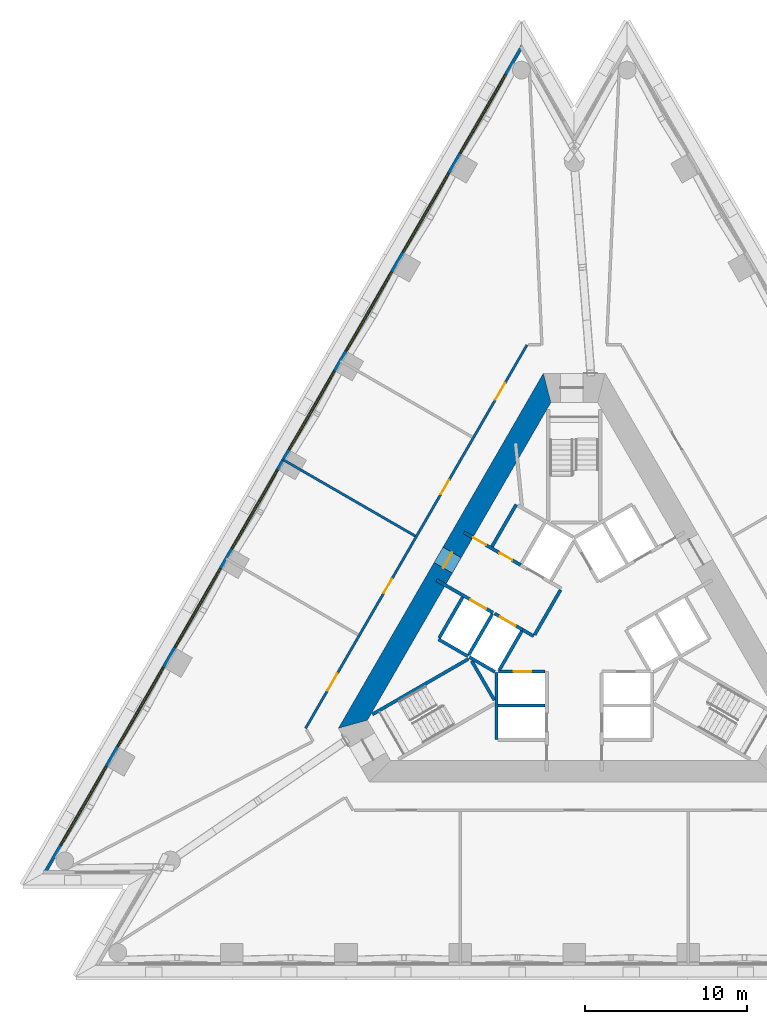
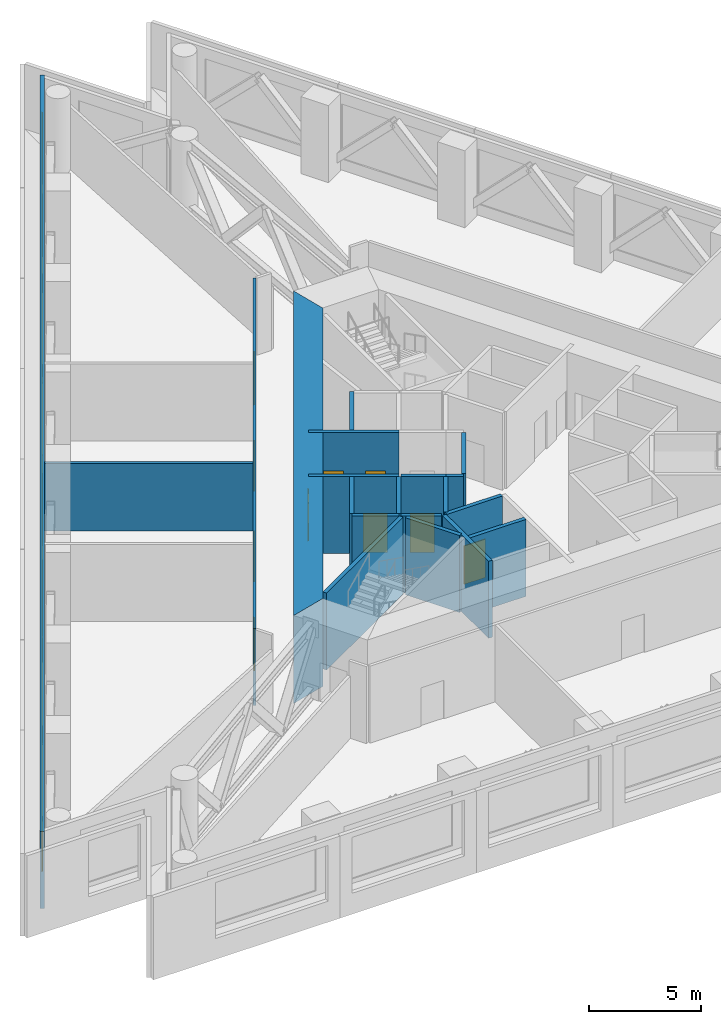
# One storey, part 7 of 12: 20 walls, 10 doors, 8 windows, 18 openings.
"""IFC4 building model written with IfcOpenShell, lengths in metres."""

from ifc_helpers import new_model, si_unit, direction, frame, frame_2d, origin, place, context, subcontext, project, spatial, polyline, rectangle, outline, extrude, material, layer, layer_set, layer_usage, type_object, element, fill, save


model = new_model("IFC4")

# Units and contexts
model_context = context("Model", 3, precision=1e-05, world=origin(), true_north=direction((0.0, 1.0)))
body_context = subcontext(model_context, "Body", "Model", "MODEL_VIEW")
ifc_project = project(units=[si_unit("LENGTHUNIT", "METRE"), si_unit("AREAUNIT", "SQUARE_METRE"), si_unit("VOLUMEUNIT", "CUBIC_METRE"), si_unit("PLANEANGLEUNIT", "RADIAN"), si_unit("MASSUNIT", "GRAM", prefix="KILO")], contexts=[model_context])

# Site, building, storey
site_placement = place(None, origin())
site = spatial("IfcSite", under=ifc_project, at=site_placement, CompositionType="ELEMENT")
building_placement = place(site_placement, origin())
building = spatial("IfcBuilding", under=site, at=building_placement, Name="Triada Interchange Tower", CompositionType="ELEMENT")
storey_placement = place(building_placement, frame((0.0, 0.0, 99.800048828125)))
storey = spatial("IfcBuildingStorey", under=building, at=storey_placement, Name="L22", CompositionType="ELEMENT", Elevation=99.800048828125)

# Walls
ifc_material_1 = material(Name="Concrete C30/37", Category="concrete")
ifc_layer_1 = layer(ifc_material_1, 0.199951171875)
ifc_layer_set_1 = layer_set([ifc_layer_1], Name="CORE WALL 200 EI 120")
wall_type_1 = type_object("IfcWallType", Name="CORE WALL 200 EI 120", PredefinedType="SOLIDWALL", material=ifc_layer_set_1)
wall_1_placement = place(storey_placement, frame((-8.3759765625, -0.70703125, 0.0), z_axis=(0.0, 0.0, 1.0), x_axis=(0.866067520717, -0.499927044236, 0.0)))
element("IfcWall", 1, at=wall_1_placement, inside=storey, type_object=wall_type_1, Name="Wall L22 22", PredefinedType="SOLIDWALL", context=body_context, shape_type="SweptSolid", body=[
    extrude(rectangle(XDim=2.100341796875, YDim=0.199951171875, at=frame_2d((1.05029296875, 0.0))), origin(), (0.0, 0.0, 1.0), 4.199951171875),
])
wall_2_placement = place(storey_placement, frame((-8.325927734375, -0.6201171875, 0.0), z_axis=(0.0, 0.0, 1.0), x_axis=(0.500023687443, 0.866011727401, 0.0)))
element("IfcWall", 2, at=wall_2_placement, inside=storey, type_object=wall_type_1, Name="Wall L22 23", PredefinedType="SOLIDWALL", context=body_context, shape_type="SweptSolid", body=[
    extrude(rectangle(XDim=2.899658203125, YDim=0.199951171875, at=frame_2d((1.44970703125, 0.0))), origin(), (0.0, 0.0, 1.0), 4.199951171875),
])
wall_3_placement = place(storey_placement, frame((-4.699951171875, -4.800048828125, 0.0), z_axis=(0.0, 0.0, 1.0), x_axis=(1.0, 0.0, 0.0)))
element("IfcWall", 3, at=wall_3_placement, inside=storey, type_object=wall_type_1, Name="Wall L22 24", PredefinedType="SOLIDWALL", context=body_context, shape_type="SweptSolid", body=[
    extrude(rectangle(XDim=2.89990234375, YDim=0.199951171875, at=frame_2d((1.449951171875, 0.0))), origin(), (0.0, 0.0, 1.0), 4.199951171875),
])
wall_4_placement = place(storey_placement, frame((-4.800048828125, -6.89990234375, 0.0), z_axis=(0.0, 0.0, 1.0), x_axis=(0.0, 1.0, 0.0)))
element("IfcWall", 4, at=wall_4_placement, inside=storey, type_object=wall_type_1, Name="Wall L22 26", PredefinedType="SOLIDWALL", context=body_context, shape_type="SweptSolid", body=[
    extrude(rectangle(XDim=4.130859375, YDim=0.199951171875, at=frame_2d((2.0654296875, 0.0))), origin(), (0.0, 0.0, 1.0), 4.199951171875),
])

# Wall, opening, door
wall_5_placement = place(storey_placement, frame((-4.676025390625, -2.699951171875, 0.0), z_axis=(0.0, 0.0, 1.0), x_axis=(1.0, 0.0, 0.0)))
wall_5 = element("IfcWall", 5, at=wall_5_placement, inside=storey, type_object=wall_type_1, Name="Wall L22 30", PredefinedType="SOLIDWALL", context=body_context, shape_type="SweptSolid", body=[
    extrude(rectangle(XDim=2.873046875, YDim=0.199951171875, at=frame_2d((1.4365234375, 0.0))), origin(), (0.0, 0.0, 1.0), 4.199951171875),
])
opening_1_placement = place(wall_5_placement, frame((0.93701171875, 0.0, 0.0)))
opening_1 = element("IfcOpeningElement", 6, at=opening_1_placement, cuts=wall_5, Name="Opening LD-LR3", PredefinedType="OPENING", context=body_context, shape_type="SweptSolid", body=[
    extrude(rectangle(XDim=1.10009765625, YDim=2.10009765625, at=frame_2d((0.550048828125, 1.050048828125))), frame((0.0, 0.10986328125, 0.0), z_axis=(0.0, -1.0, 0.0), x_axis=(1.0, 0.0, 0.0)), (0.0, 0.0, 1.0), 0.219970703125),
])
ifc_material_2 = material(Name="Steel S235 door leaf", Category="steel")
door_type_1 = type_object("IfcDoorType", Name="LIFT LANDING DOOR 1100 EI 120", OperationType="SLIDING_TO_LEFT", PredefinedType="DOOR", material=ifc_material_2)
door_1_placement = place(opening_1_placement, origin())
door_1 = element("IfcDoor", 7, at=door_1_placement, inside=storey, type_object=door_type_1, Name="LR3 landing door L22", OperationType="SLIDING_TO_LEFT", OverallHeight=2.10009765625, OverallWidth=1.10009765625, PredefinedType="DOOR", context=body_context, shape_type="SweptSolid", body=[
    extrude(rectangle(XDim=1.10009765625, YDim=2.10009765625, at=frame_2d((0.550048828125, 1.050048828125))), frame((0.0, 0.02490234375, 0.0), z_axis=(0.0, -1.0, 0.0), x_axis=(1.0, 0.0, 0.0)), (0.0, 0.0, 1.0), 0.050048828125),
])
fill(opening_1, door_1)

ifc_layer_2 = layer(ifc_material_1, 0.199951171875)
ifc_layer_set_2 = layer_set([ifc_layer_2], Name="CORE WALL 200 EI 180")
wall_type_2 = type_object("IfcWallType", Name="CORE WALL 200 EI 180", PredefinedType="SOLIDWALL", material=ifc_layer_set_2)
wall_6_placement = place(storey_placement, frame((-8.4970703125, 2.943115234375, 0.0), z_axis=(0.0, 0.0, 1.0), x_axis=(0.866036368755, -0.499981007633, 0.0)))
wall_6 = element("IfcWall", 8, at=wall_6_placement, inside=storey, type_object=wall_type_2, Name="Wall L22 44", PredefinedType="SOLIDWALL", context=body_context, shape_type="SweptSolid", body=[
    extrude(rectangle(XDim=4.032470703125, YDim=0.199951171875, at=frame_2d((2.01611328125, 0.0))), origin(), (0.0, 0.0, 1.0), 4.199951171875),
])
opening_2_placement = place(wall_6_placement, frame((2.429931640625, 0.0, 0.0)))
opening_2 = element("IfcOpeningElement", 9, at=opening_2_placement, cuts=wall_6, Name="Opening LD-SV1", PredefinedType="OPENING", context=body_context, shape_type="SweptSolid", body=[
    extrude(rectangle(XDim=1.10009765625, YDim=2.10009765625, at=frame_2d((0.550048828125, 1.050048828125))), frame((0.0, 0.10986328125, 0.0), z_axis=(0.0, -1.0, 0.0), x_axis=(1.0, 0.0, 0.0)), (0.0, 0.0, 1.0), 0.219970703125),
])
door_2_placement = place(opening_2_placement, origin())
door_2 = element("IfcDoor", 10, at=door_2_placement, inside=storey, type_object=door_type_1, Name="SV1 landing door L22", OperationType="SLIDING_TO_LEFT", OverallHeight=2.10009765625, OverallWidth=1.10009765625, PredefinedType="DOOR", context=body_context, shape_type="SweptSolid", body=[
    extrude(rectangle(XDim=1.10009765625, YDim=2.10009765625, at=frame_2d((0.550048828125, 1.050048828125))), frame((0.0, 0.02490234375, 0.0), z_axis=(0.0, -1.0, 0.0), x_axis=(1.0, 0.0, 0.0)), (0.0, 0.0, 1.0), 0.050048828125),
])
fill(opening_2, door_2)

# Wall
wall_7_placement = place(storey_placement, frame((-3.18798828125, -0.1220703125, 0.0), z_axis=(0.0, 0.0, 1.0), x_axis=(0.865705793592, -0.50055317294, 0.0)))
element("IfcWall", 11, at=wall_7_placement, inside=storey, type_object=wall_type_2, Name="Wall L22 45", PredefinedType="SOLIDWALL", context=body_context, shape_type="SweptSolid", body=[
    extrude(rectangle(XDim=0.796875, YDim=0.199951171875, at=frame_2d((0.3984375, 0.0))), origin(), (0.0, 0.0, 1.0), 4.199951171875),
])

# Wall, openings, doors
wall_8_placement = place(storey_placement, frame((-6.797119140625, 5.886962890625, 0.0), z_axis=(0.0, 0.0, 1.0), x_axis=(0.866062584469, -0.499935595635, 0.0)))
wall_8 = element("IfcWall", 12, at=wall_8_placement, inside=storey, type_object=wall_type_2, Name="Wall L22 46", PredefinedType="SOLIDWALL", context=body_context, shape_type="SweptSolid", body=[
    extrude(rectangle(XDim=4.0322265625, YDim=0.199951171875, at=frame_2d((2.01611328125, 0.0))), origin(), (0.0, 0.0, 1.0), 4.199951171875),
])
opening_3_placement = place(wall_8_placement, frame((2.530029296875, 0.0, 0.0)))
opening_3 = element("IfcOpeningElement", 13, at=opening_3_placement, cuts=wall_8, Name="Opening D22-10", PredefinedType="OPENING", context=body_context, shape_type="SweptSolid", body=[
    extrude(rectangle(XDim=0.89990234375, YDim=2.10009765625, at=frame_2d((0.449951171875, 1.050048828125))), frame((0.0, 0.10986328125, 0.0), z_axis=(0.0, -1.0, 0.0), x_axis=(1.0, 0.0, 0.0)), (0.0, 0.0, 1.0), 0.219970703125),
])
opening_4_placement = place(wall_8_placement, frame((0.655029296875, 0.0, 0.0)))
opening_4 = element("IfcOpeningElement", 14, at=opening_4_placement, cuts=wall_8, Name="Opening D22-27", PredefinedType="OPENING", context=body_context, shape_type="SweptSolid", body=[
    extrude(rectangle(XDim=0.89990234375, YDim=2.10009765625, at=frame_2d((0.449951171875, 1.050048828125))), frame((0.0, 0.10986328125, 0.0), z_axis=(0.0, -1.0, 0.0), x_axis=(1.0, 0.0, 0.0)), (0.0, 0.0, 1.0), 0.219970703125),
])
door_type_2 = type_object("IfcDoorType", Name="RISER ACCESS DOOR 900 EI2 45-C5S200", OperationType="NOTDEFINED", PredefinedType="DOOR", material=ifc_material_2)
door_3_placement = place(opening_4_placement, origin())
door_3 = element("IfcDoor", 15, at=door_3_placement, inside=storey, type_object=door_type_2, Name="Door D22-27 L22", OperationType="SINGLE_SWING_LEFT", OverallHeight=2.10009765625, OverallWidth=0.89990234375, PredefinedType="DOOR", context=body_context, shape_type="SweptSolid", body=[
    extrude(rectangle(XDim=0.89990234375, YDim=2.10009765625, at=frame_2d((0.449951171875, 1.050048828125))), frame((0.0, 0.02490234375, 0.0), z_axis=(0.0, -1.0, 0.0), x_axis=(1.0, 0.0, 0.0)), (0.0, 0.0, 1.0), 0.050048828125),
])
fill(opening_4, door_3)
door_type_3 = type_object("IfcDoorType", Name="SERVICE DOOR 900 EI2 90-C5S200", OperationType="NOTDEFINED", PredefinedType="DOOR", material=ifc_material_2)
door_4_placement = place(opening_3_placement, origin())
door_4 = element("IfcDoor", 16, at=door_4_placement, inside=storey, type_object=door_type_3, Name="Door D22-10 L22", OperationType="SINGLE_SWING_LEFT", OverallHeight=2.10009765625, OverallWidth=0.89990234375, PredefinedType="DOOR", context=body_context, shape_type="SweptSolid", body=[
    extrude(rectangle(XDim=0.89990234375, YDim=2.10009765625, at=frame_2d((0.449951171875, 1.050048828125))), frame((0.0, 0.02490234375, 0.0), z_axis=(0.0, -1.0, 0.0), x_axis=(1.0, 0.0, 0.0)), (0.0, 0.0, 1.0), 0.050048828125),
])
fill(opening_3, door_4)

# Walls
wall_9_placement = place(storey_placement, frame((-5.075927734375, 5.009033203125, 0.0), z_axis=(0.0, 0.0, 1.0), x_axis=(0.50002537861, 0.866010750942, 0.0)))
element("IfcWall", 17, at=wall_9_placement, inside=storey, type_object=wall_type_2, Name="Wall L22 48", PredefinedType="SOLIDWALL", context=body_context, shape_type="SweptSolid", body=[
    extrude(rectangle(XDim=2.999755859375, YDim=0.199951171875, at=frame_2d((1.5, 0.0))), origin(), (0.0, 0.0, 1.0), 4.199951171875),
])
wall_10_placement = place(storey_placement, frame((-2.444091796875, -0.43310546875, 0.0), z_axis=(0.0, 0.0, 1.0), x_axis=(0.500035624827, 0.866004834804, 0.0)))
element("IfcWall", 18, at=wall_10_placement, inside=storey, type_object=wall_type_2, Name="Wall L22 50", PredefinedType="SOLIDWALL", context=body_context, shape_type="SweptSolid", body=[
    extrude(rectangle(XDim=3.194091796875, YDim=0.199951171875, at=frame_2d((1.59716796875, 0.0))), origin(), (0.0, 0.0, 1.0), 4.199951171875),
])
wall_11_placement = place(storey_placement, frame((-6.507080078125, -1.669921875, 0.0), z_axis=(0.0, 0.0, 1.0), x_axis=(0.50012328804, 0.865954211699, 0.0)))
element("IfcWall", 19, at=wall_11_placement, inside=storey, type_object=wall_type_2, Name="Shaft wall FF1 L22 51", PredefinedType="SOLIDWALL", context=body_context, shape_type="SweptSolid", body=[
    extrude(rectangle(XDim=2.899658203125, YDim=0.199951171875, at=frame_2d((1.44970703125, 0.0))), origin(), (0.0, 0.0, 1.0), 4.199951171875),
])
wall_12_placement = place(storey_placement, frame((-6.469970703125, -1.806884765625, 0.0), z_axis=(0.0, 0.0, 1.0), x_axis=(0.865883195159, -0.500246231712, 0.0)))
element("IfcWall", 20, at=wall_12_placement, inside=storey, type_object=wall_type_2, Name="Shaft wall FF1 L22 52", PredefinedType="SOLIDWALL", context=body_context, shape_type="SweptSolid", body=[
    extrude(rectangle(XDim=1.8154296875, YDim=0.199951171875, at=frame_2d((0.90771484375, 0.0))), origin(), (0.0, 0.0, 1.0), 4.199951171875),
])

# Wall, opening, door
wall_13_placement = place(storey_placement, frame((-4.919921875, 0.8779296875, 0.0), z_axis=(0.0, 0.0, 1.0), x_axis=(0.866010750942, -0.50002537861, 0.0)))
wall_13 = element("IfcWall", 21, at=wall_13_placement, inside=storey, type_object=wall_type_2, Name="Shaft wall FF1 L22 53", PredefinedType="SOLIDWALL", context=body_context, shape_type="SweptSolid", body=[
    extrude(rectangle(XDim=2.0, YDim=0.199951171875, at=frame_2d((1.0, 0.0))), origin(), (0.0, 0.0, 1.0), 4.199951171875),
])
opening_5_placement = place(wall_13_placement, frame((0.39990234375, 0.0, 0.0)))
opening_5 = element("IfcOpeningElement", 22, at=opening_5_placement, cuts=wall_13, Name="Opening LD-FF1", PredefinedType="OPENING", context=body_context, shape_type="SweptSolid", body=[
    extrude(rectangle(XDim=1.10009765625, YDim=2.10009765625, at=frame_2d((0.550048828125, 1.050048828125))), frame((0.0, 0.10986328125, 0.0), z_axis=(0.0, -1.0, 0.0), x_axis=(1.0, 0.0, 0.0)), (0.0, 0.0, 1.0), 0.219970703125),
])
door_5_placement = place(opening_5_placement, origin())
door_5 = element("IfcDoor", 23, at=door_5_placement, inside=storey, type_object=door_type_1, Name="FF1 landing door L22", OperationType="SLIDING_TO_LEFT", OverallHeight=2.10009765625, OverallWidth=1.10009765625, PredefinedType="DOOR", context=body_context, shape_type="SweptSolid", body=[
    extrude(rectangle(XDim=1.10009765625, YDim=2.10009765625, at=frame_2d((0.550048828125, 1.050048828125))), frame((0.0, 0.02490234375, 0.0), z_axis=(0.0, -1.0, 0.0), x_axis=(1.0, 0.0, 0.0)), (0.0, 0.0, 1.0), 0.050048828125),
])
fill(opening_5, door_5)

# Walls
wall_14_placement = place(storey_placement, frame((-4.618896484375, -2.60009765625, 0.0), z_axis=(0.0, 0.0, 1.0), x_axis=(0.50009492287, 0.865970593103, 0.0)))
element("IfcWall", 24, at=wall_14_placement, inside=storey, type_object=wall_type_2, Name="Shaft wall FF1 L22 54", PredefinedType="SOLIDWALL", context=body_context, shape_type="SweptSolid", body=[
    extrude(rectangle(XDim=2.76123046875, YDim=0.199951171875, at=frame_2d((1.380615234375, 0.0))), origin(), (0.0, 0.0, 1.0), 4.199951171875),
])
ifc_layer_3 = layer(ifc_material_1, 0.199951171875)
ifc_layer_set_3 = layer_set([ifc_layer_3], Name="CORE WALL 200 REI 240")
wall_type_3 = type_object("IfcWallType", Name="CORE WALL 200 REI 240", PredefinedType="SOLIDWALL", material=ifc_layer_set_3)
wall_15_placement = place(storey_placement, frame((-12.451904296875, -5.342041015625, 0.0), z_axis=(0.0, 0.0, 1.0), x_axis=(0.866002488145, 0.500039688951, 0.0)))
element("IfcWall", 25, at=wall_15_placement, inside=storey, type_object=wall_type_3, Name="Wall L22 60", PredefinedType="SOLIDWALL", context=body_context, shape_type="SweptSolid", body=[
    extrude(rectangle(XDim=6.83935546875, YDim=0.199951171875, at=frame_2d((3.419677734375, 0.0))), origin(), (0.0, 0.0, 1.0), 4.199951171875),
])
wall_16_placement = place(storey_placement, frame((-6.3291015625, -2.0380859375, 0.0), z_axis=(0.0, 0.0, 1.0), x_axis=(0.500200581029, -0.865909567298, 0.0)))
element("IfcWall", 26, at=wall_16_placement, inside=storey, type_object=wall_type_3, Name="Wall L22 61", PredefinedType="SOLIDWALL", context=body_context, shape_type="SweptSolid", body=[
    extrude(rectangle(XDim=2.799072265625, YDim=0.199951171875, at=frame_2d((1.3994140625, 0.0))), origin(), (0.0, 0.0, 1.0), 4.199951171875),
])

# Wall, opening, door
ifc_material_3 = material(Name="Concrete C70/85", Category="concrete")
ifc_layer_4 = layer(ifc_material_3, 1.300048828125)
ifc_layer_set_4 = layer_set([ifc_layer_4], Name="Core wall A 1300")
wall_type_4 = type_object("IfcWallType", Name="Core wall A 1300", PredefinedType="SHEAR", material=ifc_layer_set_4)
wall_17_placement = place(storey_placement, frame((-1.674072265625, 14.800048828125, -0.60009765625), z_axis=(0.0, 0.0, 1.0), x_axis=(-0.499998822509, -0.866026083608, 0.0)))
wall_17 = element("IfcWall", 27, at=wall_17_placement, inside=storey, type_object=wall_type_4, Name="Core wall WA08 L22", PredefinedType="SHEAR", context=body_context, shape_type="SweptSolid", body=[
    extrude(outline(polyline([(-0.6640625, -0.64990234375), (1.28125, -0.64990234375), (3.226318359375, -0.64990234375), (5.171630859375, -0.64990234375), (7.116943359375, -0.64990234375), (9.06201171875, -0.64990234375), (11.00732421875, -0.64990234375), (12.95263671875, -0.64990234375), (14.89794921875, -0.64990234375), (16.843017578125, -0.64990234375), (18.788330078125, -0.64990234375), (20.733642578125, -0.64990234375), (22.6787109375, -0.64990234375), (24.6240234375, -0.64990234375), (23.2958984375, 0.64990234375), (21.409912109375, 0.64990234375), (19.52392578125, 0.64990234375), (17.637939453125, 0.64990234375), (15.751953125, 0.64990234375), (13.865966796875, 0.64990234375), (11.97998046875, 0.64990234375), (10.093994140625, 0.64990234375), (8.2080078125, 0.64990234375), (6.322021484375, 0.64990234375), (4.43603515625, 0.64990234375), (2.550048828125, 0.64990234375), (0.6640625, 0.64990234375), (-0.6640625, -0.64990234375)])), origin(), (0.0, 0.0, 1.0), 4.800048828125),
])
opening_6_placement = place(wall_17_placement, frame((11.718994140625, 0.0, 0.60009765625)))
opening_6 = element("IfcOpeningElement", 28, at=opening_6_placement, cuts=wall_17, Name="Opening D22-24", PredefinedType="OPENING", context=body_context, shape_type="SweptSolid", body=[
    extrude(rectangle(XDim=1.10009765625, YDim=2.10009765625, at=frame_2d((0.550048828125, 1.050048828125))), frame((0.0, 0.659912109375, 0.0), z_axis=(0.0, -1.0, 0.0), x_axis=(1.0, 0.0, 0.0)), (0.0, 0.0, 1.0), 1.320068359375),
])
door_type_4 = type_object("IfcDoorType", Name="FIRE LOBBY DOOR 1100 EI2 90-C5S200", OperationType="NOTDEFINED", PredefinedType="DOOR", material=ifc_material_2)
door_6_placement = place(opening_6_placement, origin())
door_6 = element("IfcDoor", 29, at=door_6_placement, inside=storey, type_object=door_type_4, Name="Door D22-24 L22", OperationType="SINGLE_SWING_LEFT", OverallHeight=2.10009765625, OverallWidth=1.10009765625, PredefinedType="DOOR", context=body_context, shape_type="SweptSolid", body=[
    extrude(rectangle(XDim=1.10009765625, YDim=2.10009765625, at=frame_2d((0.550048828125, 1.050048828125))), frame((0.0, 0.02490234375, 0.0), z_axis=(0.0, -1.0, 0.0), x_axis=(1.0, 0.0, 0.0)), (0.0, 0.0, 1.0), 0.050048828125),
])
fill(opening_6, door_6)

# Wall, openings, windows
ifc_material_4 = material(Name="Cement board")
ifc_layer_5 = layer(ifc_material_4, 0.02001953125, Name="Cement board cladding")
ifc_material_5 = material(Name="Sheathing board")
ifc_layer_6 = layer(ifc_material_5, 0.014892578125, Name="Sheathing board")
ifc_material_6 = material(Name="Mineral wool")
ifc_layer_7 = layer(ifc_material_6, 0.14990234375, Name="Mineral wool between steel studs")
ifc_material_7 = material(Name="Gypsum board")
ifc_layer_8 = layer(ifc_material_7, 0.014892578125, Name="Plasterboard lining")
ifc_layer_set_5 = layer_set([ifc_layer_5, ifc_layer_6, ifc_layer_7, ifc_layer_8], Name="External wall 200")
ifc_layer_usage = layer_usage(ifc_layer_set_5, "AXIS2", "POSITIVE", -0.10009765625)
wall_type_5 = type_object("IfcWallType", Name="External wall 200", PredefinedType="ELEMENTEDWALL", material=ifc_layer_set_5)
wall_18_placement = place(storey_placement, frame((-3.217041015625, 35.882080078125, 0.0), z_axis=(0.0, 0.0, 1.0), x_axis=(-0.499995323711, -0.866028103624, 0.0)))
wall_18 = element("IfcWall", 30, at=wall_18_placement, inside=storey, type_object=wall_type_5, material=ifc_layer_usage, Name="External wall L22 NW", PredefinedType="ELEMENTEDWALL", context=body_context, shape_type="SweptSolid", body=[
    extrude(rectangle(XDim=58.91259765625, YDim=0.199951171875, at=frame_2d((29.456298828125, 0.0))), origin(), (0.0, 0.0, 1.0), 4.199951171875),
])
opening_7_placement = place(wall_18_placement, frame((2.02294921875, 0.0, 0.60009765625)))
opening_7 = element("IfcOpeningElement", 31, at=opening_7_placement, cuts=wall_18, Name="Opening LA01", PredefinedType="OPENING", context=body_context, shape_type="SweptSolid", body=[
    extrude(rectangle(XDim=5.60009765625, YDim=3.0, at=frame_2d((2.800048828125, 1.5))), frame((0.0, 0.10986328125, 0.0), z_axis=(0.0, -1.0, 0.0), x_axis=(1.0, 0.0, 0.0)), (0.0, 0.0, 1.0), 0.219970703125),
])
opening_8_placement = place(wall_18_placement, frame((9.06396484375, 0.0, 0.60009765625)))
opening_8 = element("IfcOpeningElement", 32, at=opening_8_placement, cuts=wall_18, Name="Opening LA02", PredefinedType="OPENING", context=body_context, shape_type="SweptSolid", body=[
    extrude(rectangle(XDim=5.60009765625, YDim=3.0, at=frame_2d((2.800048828125, 1.5))), frame((0.0, 0.10986328125, 0.0), z_axis=(0.0, -1.0, 0.0), x_axis=(1.0, 0.0, 0.0)), (0.0, 0.0, 1.0), 0.219970703125),
])
opening_9_placement = place(wall_18_placement, frame((16.10498046875, 0.0, 0.60009765625)))
opening_9 = element("IfcOpeningElement", 33, at=opening_9_placement, cuts=wall_18, Name="Opening LA03", PredefinedType="OPENING", context=body_context, shape_type="SweptSolid", body=[
    extrude(rectangle(XDim=5.60009765625, YDim=3.0, at=frame_2d((2.800048828125, 1.5))), frame((0.0, 0.10986328125, 0.0), z_axis=(0.0, -1.0, 0.0), x_axis=(1.0, 0.0, 0.0)), (0.0, 0.0, 1.0), 0.219970703125),
])
opening_10_placement = place(wall_18_placement, frame((23.14599609375, 0.0, 0.60009765625)))
opening_10 = element("IfcOpeningElement", 34, at=opening_10_placement, cuts=wall_18, Name="Opening LA04", PredefinedType="OPENING", context=body_context, shape_type="SweptSolid", body=[
    extrude(rectangle(XDim=5.60009765625, YDim=3.0, at=frame_2d((2.800048828125, 1.5))), frame((0.0, 0.10986328125, 0.0), z_axis=(0.0, -1.0, 0.0), x_axis=(1.0, 0.0, 0.0)), (0.0, 0.0, 1.0), 0.219970703125),
])
opening_11_placement = place(wall_18_placement, frame((30.18603515625, 0.0, 0.60009765625)))
opening_11 = element("IfcOpeningElement", 35, at=opening_11_placement, cuts=wall_18, Name="Opening LA05", PredefinedType="OPENING", context=body_context, shape_type="SweptSolid", body=[
    extrude(rectangle(XDim=5.60009765625, YDim=3.0, at=frame_2d((2.800048828125, 1.5))), frame((0.0, 0.10986328125, 0.0), z_axis=(0.0, -1.0, 0.0), x_axis=(1.0, 0.0, 0.0)), (0.0, 0.0, 1.0), 0.219970703125),
])
opening_12_placement = place(wall_18_placement, frame((37.22705078125, 0.0, 0.60009765625)))
opening_12 = element("IfcOpeningElement", 36, at=opening_12_placement, cuts=wall_18, Name="Opening LA06", PredefinedType="OPENING", context=body_context, shape_type="SweptSolid", body=[
    extrude(rectangle(XDim=5.60009765625, YDim=3.0, at=frame_2d((2.800048828125, 1.5))), frame((0.0, 0.10986328125, 0.0), z_axis=(0.0, -1.0, 0.0), x_axis=(1.0, 0.0, 0.0)), (0.0, 0.0, 1.0), 0.219970703125),
])
opening_13_placement = place(wall_18_placement, frame((44.26806640625, 0.0, 0.60009765625)))
opening_13 = element("IfcOpeningElement", 37, at=opening_13_placement, cuts=wall_18, Name="Opening LA07", PredefinedType="OPENING", context=body_context, shape_type="SweptSolid", body=[
    extrude(rectangle(XDim=5.60009765625, YDim=3.0, at=frame_2d((2.800048828125, 1.5))), frame((0.0, 0.10986328125, 0.0), z_axis=(0.0, -1.0, 0.0), x_axis=(1.0, 0.0, 0.0)), (0.0, 0.0, 1.0), 0.219970703125),
])
opening_14_placement = place(wall_18_placement, frame((51.30908203125, 0.0, 0.60009765625)))
opening_14 = element("IfcOpeningElement", 38, at=opening_14_placement, cuts=wall_18, Name="Opening LA08", PredefinedType="OPENING", context=body_context, shape_type="SweptSolid", body=[
    extrude(rectangle(XDim=5.60009765625, YDim=3.0, at=frame_2d((2.800048828125, 1.5))), frame((0.0, 0.10986328125, 0.0), z_axis=(0.0, -1.0, 0.0), x_axis=(1.0, 0.0, 0.0)), (0.0, 0.0, 1.0), 0.219970703125),
])
ifc_material_8 = material(Name="Aluminium louvre", Category="aluminium")
window_type = type_object("IfcWindowType", Name="Plant louvre A face", PartitioningType="SINGLE_PANEL", PredefinedType="WINDOW", material=ifc_material_8)
window_1_placement = place(opening_7_placement, origin())
window_1 = element("IfcWindow", 39, at=window_1_placement, inside=storey, type_object=window_type, Name="Louvre L22 NW 1", OverallHeight=3.0, OverallWidth=5.60009765625, PartitioningType="SINGLE_PANEL", PredefinedType="WINDOW", context=body_context, shape_type="SweptSolid", body=[
    extrude(rectangle(XDim=5.60009765625, YDim=3.0, at=frame_2d((2.800048828125, 1.5))), frame((0.0, 0.030029296875, 0.0), z_axis=(0.0, -1.0, 0.0), x_axis=(1.0, 0.0, 0.0)), (0.0, 0.0, 1.0), 0.06005859375),
])
fill(opening_7, window_1)
window_2_placement = place(opening_8_placement, origin())
window_2 = element("IfcWindow", 40, at=window_2_placement, inside=storey, type_object=window_type, Name="Louvre L22 NW 2", OverallHeight=3.0, OverallWidth=5.60009765625, PartitioningType="SINGLE_PANEL", PredefinedType="WINDOW", context=body_context, shape_type="SweptSolid", body=[
    extrude(rectangle(XDim=5.60009765625, YDim=3.0, at=frame_2d((2.800048828125, 1.5))), frame((0.0, 0.030029296875, 0.0), z_axis=(0.0, -1.0, 0.0), x_axis=(1.0, 0.0, 0.0)), (0.0, 0.0, 1.0), 0.06005859375),
])
fill(opening_8, window_2)
window_3_placement = place(opening_9_placement, origin())
window_3 = element("IfcWindow", 41, at=window_3_placement, inside=storey, type_object=window_type, Name="Louvre L22 NW 3", OverallHeight=3.0, OverallWidth=5.60009765625, PartitioningType="SINGLE_PANEL", PredefinedType="WINDOW", context=body_context, shape_type="SweptSolid", body=[
    extrude(rectangle(XDim=5.60009765625, YDim=3.0, at=frame_2d((2.800048828125, 1.5))), frame((0.0, 0.030029296875, 0.0), z_axis=(0.0, -1.0, 0.0), x_axis=(1.0, 0.0, 0.0)), (0.0, 0.0, 1.0), 0.06005859375),
])
fill(opening_9, window_3)
window_4_placement = place(opening_10_placement, origin())
window_4 = element("IfcWindow", 42, at=window_4_placement, inside=storey, type_object=window_type, Name="Louvre L22 NW 4", OverallHeight=3.0, OverallWidth=5.60009765625, PartitioningType="SINGLE_PANEL", PredefinedType="WINDOW", context=body_context, shape_type="SweptSolid", body=[
    extrude(rectangle(XDim=5.60009765625, YDim=3.0, at=frame_2d((2.800048828125, 1.5))), frame((0.0, 0.030029296875, 0.0), z_axis=(0.0, -1.0, 0.0), x_axis=(1.0, 0.0, 0.0)), (0.0, 0.0, 1.0), 0.06005859375),
])
fill(opening_10, window_4)
window_5_placement = place(opening_11_placement, origin())
window_5 = element("IfcWindow", 43, at=window_5_placement, inside=storey, type_object=window_type, Name="Louvre L22 NW 5", OverallHeight=3.0, OverallWidth=5.60009765625, PartitioningType="SINGLE_PANEL", PredefinedType="WINDOW", context=body_context, shape_type="SweptSolid", body=[
    extrude(rectangle(XDim=5.60009765625, YDim=3.0, at=frame_2d((2.800048828125, 1.5))), frame((0.0, 0.030029296875, 0.0), z_axis=(0.0, -1.0, 0.0), x_axis=(1.0, 0.0, 0.0)), (0.0, 0.0, 1.0), 0.06005859375),
])
fill(opening_11, window_5)
window_6_placement = place(opening_12_placement, origin())
window_6 = element("IfcWindow", 44, at=window_6_placement, inside=storey, type_object=window_type, Name="Louvre L22 NW 6", OverallHeight=3.0, OverallWidth=5.60009765625, PartitioningType="SINGLE_PANEL", PredefinedType="WINDOW", context=body_context, shape_type="SweptSolid", body=[
    extrude(rectangle(XDim=5.60009765625, YDim=3.0, at=frame_2d((2.800048828125, 1.5))), frame((0.0, 0.030029296875, 0.0), z_axis=(0.0, -1.0, 0.0), x_axis=(1.0, 0.0, 0.0)), (0.0, 0.0, 1.0), 0.06005859375),
])
fill(opening_12, window_6)
window_7_placement = place(opening_13_placement, origin())
window_7 = element("IfcWindow", 45, at=window_7_placement, inside=storey, type_object=window_type, Name="Louvre L22 NW 7", OverallHeight=3.0, OverallWidth=5.60009765625, PartitioningType="SINGLE_PANEL", PredefinedType="WINDOW", context=body_context, shape_type="SweptSolid", body=[
    extrude(rectangle(XDim=5.60009765625, YDim=3.0, at=frame_2d((2.800048828125, 1.5))), frame((0.0, 0.030029296875, 0.0), z_axis=(0.0, -1.0, 0.0), x_axis=(1.0, 0.0, 0.0)), (0.0, 0.0, 1.0), 0.06005859375),
])
fill(opening_13, window_7)
window_8_placement = place(opening_14_placement, origin())
window_8 = element("IfcWindow", 46, at=window_8_placement, inside=storey, type_object=window_type, Name="Louvre L22 NW 8", OverallHeight=3.0, OverallWidth=5.60009765625, PartitioningType="SINGLE_PANEL", PredefinedType="WINDOW", context=body_context, shape_type="SweptSolid", body=[
    extrude(rectangle(XDim=5.60009765625, YDim=3.0, at=frame_2d((2.800048828125, 1.5))), frame((0.0, 0.030029296875, 0.0), z_axis=(0.0, -1.0, 0.0), x_axis=(1.0, 0.0, 0.0)), (0.0, 0.0, 1.0), 0.06005859375),
])
fill(opening_14, window_8)

# Wall, openings, doors
ifc_material_9 = material(Name="Gypsum board partition")
ifc_layer_9 = layer(ifc_material_9, 0.14990234375)
ifc_layer_set_6 = layer_set([ifc_layer_9], Name="PARTITION 150 EI 180")
wall_type_6 = type_object("IfcWallType", Name="PARTITION 150 EI 180", PredefinedType="PARTITIONING", material=ifc_layer_set_6)
wall_19_placement = place(storey_placement, frame((-16.570068359375, -6.199951171875, 0.0), z_axis=(0.0, 0.0, 1.0), x_axis=(0.499993827443, 0.866028967483, 0.0)))
wall_19 = element("IfcWall", 47, at=wall_19_placement, inside=storey, type_object=wall_type_6, Name="Wall L22 1", PredefinedType="PARTITIONING", context=body_context, shape_type="SweptSolid", body=[
    extrude(rectangle(XDim=27.308349609375, YDim=0.14990234375, at=frame_2d((13.654296875, 0.0))), origin(), (0.0, 0.0, 1.0), 4.199951171875),
])
opening_15_placement = place(wall_19_placement, frame((23.402099609375, 0.0, 0.0)))
opening_15 = element("IfcOpeningElement", 48, at=opening_15_placement, cuts=wall_19, Name="Opening D22-16", PredefinedType="OPENING", context=body_context, shape_type="SweptSolid", body=[
    extrude(rectangle(XDim=1.199951171875, YDim=2.10009765625, at=frame_2d((0.60009765625, 1.050048828125))), frame((0.0, 0.0849609375, 0.0), z_axis=(0.0, -1.0, 0.0), x_axis=(1.0, 0.0, 0.0)), (0.0, 0.0, 1.0), 0.169921875),
])
opening_16_placement = place(wall_19_placement, frame((16.675048828125, 0.0, 0.0)))
opening_16 = element("IfcOpeningElement", 49, at=opening_16_placement, cuts=wall_19, Name="Opening D22-17", PredefinedType="OPENING", context=body_context, shape_type="SweptSolid", body=[
    extrude(rectangle(XDim=1.0, YDim=2.10009765625, at=frame_2d((0.5, 1.050048828125))), frame((0.0, 0.0849609375, 0.0), z_axis=(0.0, -1.0, 0.0), x_axis=(1.0, 0.0, 0.0)), (0.0, 0.0, 1.0), 0.169921875),
])
opening_17_placement = place(wall_19_placement, frame((9.634033203125, 0.0, 0.0)))
opening_17 = element("IfcOpeningElement", 50, at=opening_17_placement, cuts=wall_19, Name="Opening D22-18", PredefinedType="OPENING", context=body_context, shape_type="SweptSolid", body=[
    extrude(rectangle(XDim=1.0, YDim=2.10009765625, at=frame_2d((0.5, 1.050048828125))), frame((0.0, 0.0849609375, 0.0), z_axis=(0.0, -1.0, 0.0), x_axis=(1.0, 0.0, 0.0)), (0.0, 0.0, 1.0), 0.169921875),
])
opening_18_placement = place(wall_19_placement, frame((2.70703125, 0.0, 0.0)))
opening_18 = element("IfcOpeningElement", 51, at=opening_18_placement, cuts=wall_19, Name="Opening D22-19", PredefinedType="OPENING", context=body_context, shape_type="SweptSolid", body=[
    extrude(rectangle(XDim=1.199951171875, YDim=2.10009765625, at=frame_2d((0.60009765625, 1.050048828125))), frame((0.0, 0.0849609375, 0.0), z_axis=(0.0, -1.0, 0.0), x_axis=(1.0, 0.0, 0.0)), (0.0, 0.0, 1.0), 0.169921875),
])
door_type_5 = type_object("IfcDoorType", Name="DOUBLE ROOM DOOR 1200 EI2 45-C5S200", OperationType="DOUBLE_DOOR_SINGLE_SWING", PredefinedType="DOOR", material=ifc_material_2)
door_7_placement = place(opening_15_placement, origin())
door_7 = element("IfcDoor", 52, at=door_7_placement, inside=storey, type_object=door_type_5, Name="Door D22-16 L22", OperationType="DOUBLE_DOOR_SINGLE_SWING", OverallHeight=2.10009765625, OverallWidth=1.199951171875, PredefinedType="DOOR", context=body_context, shape_type="SweptSolid", body=[
    extrude(rectangle(XDim=1.199951171875, YDim=2.10009765625, at=frame_2d((0.60009765625, 1.050048828125))), frame((0.0, 0.02490234375, 0.0), z_axis=(0.0, -1.0, 0.0), x_axis=(1.0, 0.0, 0.0)), (0.0, 0.0, 1.0), 0.050048828125),
])
fill(opening_15, door_7)
door_8_placement = place(opening_18_placement, origin())
door_8 = element("IfcDoor", 53, at=door_8_placement, inside=storey, type_object=door_type_5, Name="Door D22-19 L22", OperationType="DOUBLE_DOOR_SINGLE_SWING", OverallHeight=2.10009765625, OverallWidth=1.199951171875, PredefinedType="DOOR", context=body_context, shape_type="SweptSolid", body=[
    extrude(rectangle(XDim=1.199951171875, YDim=2.10009765625, at=frame_2d((0.60009765625, 1.050048828125))), frame((0.0, 0.02490234375, 0.0), z_axis=(0.0, -1.0, 0.0), x_axis=(1.0, 0.0, 0.0)), (0.0, 0.0, 1.0), 0.050048828125),
])
fill(opening_18, door_8)
door_type_6 = type_object("IfcDoorType", Name="ROOM DOOR 1000 EI2 45-C5S200", OperationType="NOTDEFINED", PredefinedType="DOOR", material=ifc_material_2)
door_9_placement = place(opening_16_placement, origin())
door_9 = element("IfcDoor", 54, at=door_9_placement, inside=storey, type_object=door_type_6, Name="Door D22-17 L22", OperationType="SINGLE_SWING_LEFT", OverallHeight=2.10009765625, OverallWidth=1.0, PredefinedType="DOOR", context=body_context, shape_type="SweptSolid", body=[
    extrude(rectangle(XDim=1.0, YDim=2.10009765625, at=frame_2d((0.5, 1.050048828125))), frame((0.0, 0.02490234375, 0.0), z_axis=(0.0, -1.0, 0.0), x_axis=(1.0, 0.0, 0.0)), (0.0, 0.0, 1.0), 0.050048828125),
])
fill(opening_16, door_9)
door_10_placement = place(opening_17_placement, origin())
door_10 = element("IfcDoor", 55, at=door_10_placement, inside=storey, type_object=door_type_6, Name="Door D22-18 L22", OperationType="SINGLE_SWING_LEFT", OverallHeight=2.10009765625, OverallWidth=1.0, PredefinedType="DOOR", context=body_context, shape_type="SweptSolid", body=[
    extrude(rectangle(XDim=1.0, YDim=2.10009765625, at=frame_2d((0.5, 1.050048828125))), frame((0.0, 0.02490234375, 0.0), z_axis=(0.0, -1.0, 0.0), x_axis=(1.0, 0.0, 0.0)), (0.0, 0.0, 1.0), 0.050048828125),
])
fill(opening_17, door_10)

# Wall
wall_20_placement = place(storey_placement, frame((-17.949951171875, 10.363037109375, 0.0), z_axis=(0.0, 0.0, 1.0), x_axis=(0.866014767649, -0.500018421874, 0.0)))
element("IfcWall", 56, at=wall_20_placement, inside=storey, type_object=wall_type_6, Name="Wall L22 8", PredefinedType="PARTITIONING", context=body_context, shape_type="SweptSolid", body=[
    extrude(rectangle(XDim=9.401611328125, YDim=0.14990234375, at=frame_2d((4.70068359375, 0.0))), origin(), (0.0, 0.0, 1.0), 3.699951171875),
])

save(model, "model.ifc")
